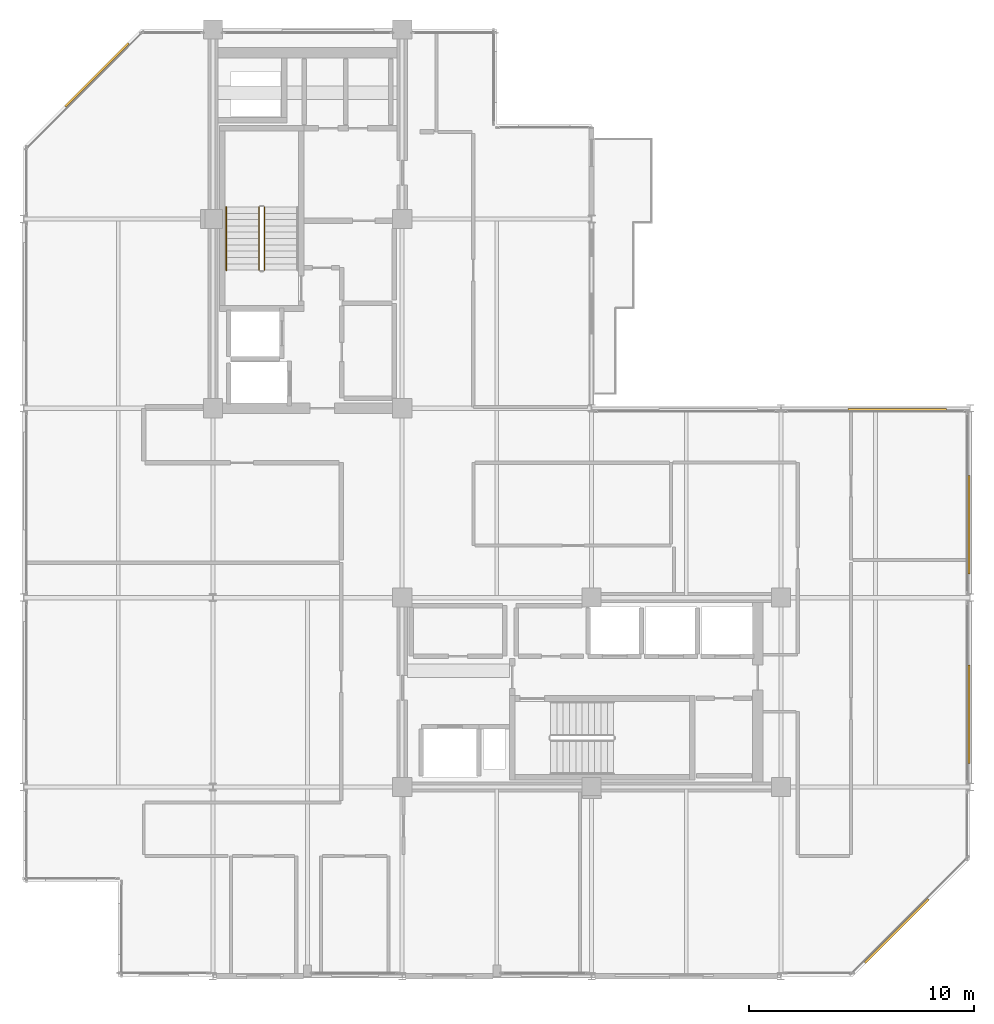
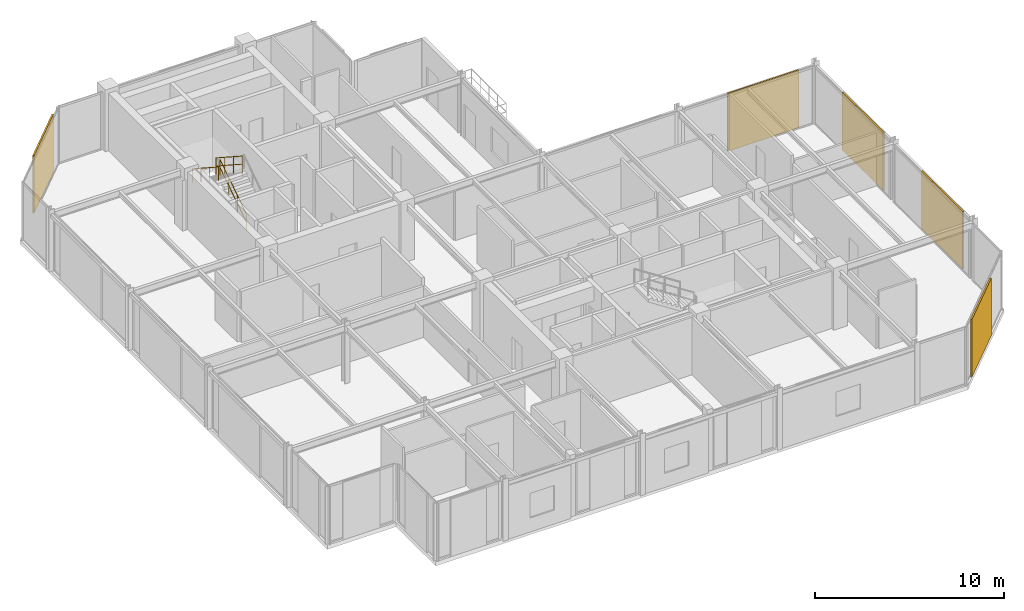
# One storey, part 25 of 26: 5 coverings, 3 railings.
"""IFC4 building model written with IfcOpenShell, lengths in metres."""

from ifc_helpers import new_model, si_unit, direction, frame, origin, origin_2d, place, context, subcontext, project, spatial, rectangle, circle, extrude, material, layer, layer_set, type_object, element, save


model = new_model("IFC4")

# Units and contexts
model_context = context("Model", 3, precision=1e-05, world=origin(), true_north=direction((0.0, 1.0)))
body_context = subcontext(model_context, "Body", "Model", "MODEL_VIEW")
ifc_project = project(units=[si_unit("LENGTHUNIT", "METRE"), si_unit("AREAUNIT", "SQUARE_METRE"), si_unit("VOLUMEUNIT", "CUBIC_METRE"), si_unit("PLANEANGLEUNIT", "RADIAN"), si_unit("MASSUNIT", "GRAM", prefix="KILO")], contexts=[model_context])

# Site, building, storey
site_placement = place(None, origin())
site = spatial("IfcSite", under=ifc_project, at=site_placement, CompositionType="ELEMENT")
building_placement = place(site_placement, origin())
building = spatial("IfcBuilding", under=site, at=building_placement, Name="Nerrivon Quay Data Exchange", CompositionType="ELEMENT")
storey_placement = place(building_placement, frame((0.0, 0.0, 250.199951171875)))
storey = spatial("IfcBuildingStorey", under=building, at=storey_placement, Name="L59", CompositionType="ELEMENT", Elevation=250.199951171875)

# Coverings
ifc_material_1 = material(Name="Architectural terracotta ceramic", Category="masonry")
ifc_layer = layer(ifc_material_1, 0.090087890625)
ifc_layer_set = layer_set([ifc_layer], Name="Architectural terracotta ceramic")
covering_type = type_object("IfcCoveringType", Name="COV-SCR-TERR", PredefinedType="CLADDING", material=ifc_layer_set)
for number, where, z_axis, x_axis, name in (
    (1, (38.744140625, 2.0078125, 0.0), (0.0, 0.0, 1.0), (-0.707106781187, -0.707106781187, 0.0), "L59 Perforated Terracotta SOLAR SCREEN Cassette"),
    (2, (3.255859375, 39.9921875, 0.0), (0.0, 0.0, 1.0), (0.707106781187, 0.707106781187, 0.0), "L59 Perforated Terracotta SOLAR SCREEN Cassette"),
):
    element("IfcCovering", number, at=place(storey_placement, frame(where, z_axis=z_axis, x_axis=x_axis)), inside=storey, type_object=covering_type, Name=name, PredefinedType="CLADDING", context=body_context, shape_type="SweptSolid", body=[
        extrude(rectangle(XDim=3.970947265625, YDim=0.090087890625, at=origin_2d()), origin(), (0.0, 0.0, 1.0), 3.72509765625),
    ])
covering_placement = place(storey_placement, frame((38.770751953125, 25.155029296875, 0.0), z_axis=(0.0, 0.0, 1.0), x_axis=(1.0, 0.0, 0.0)))
element("IfcCovering", 3, at=covering_placement, inside=storey, type_object=covering_type, Name="L59 Perforated Terracotta SOLAR SCREEN Cassette", PredefinedType="CLADDING", context=body_context, shape_type="SweptSolid", body=[
    extrude(rectangle(XDim=4.367919921875, YDim=0.090087890625, at=origin_2d()), origin(), (0.0, 0.0, 1.0), 3.72509765625),
])
for number, where, z_axis, x_axis, name in (
    (4, (41.955078125, 20.03125, 0.0), (0.0, 0.0, 1.0), (0.0, -1.0, 0.0), "L59 Perforated Terracotta SOLAR SCREEN Cassette"),
    (5, (41.955078125, 11.631103515625, 0.0), (0.0, 0.0, 1.0), (0.0, -1.0, 0.0), "L59 Perforated Terracotta SOLAR SCREEN Cassette"),
):
    element("IfcCovering", number, at=place(storey_placement, frame(where, z_axis=z_axis, x_axis=x_axis)), inside=storey, type_object=covering_type, Name=name, PredefinedType="CLADDING", context=body_context, shape_type="SweptSolid", body=[
        extrude(rectangle(XDim=4.35888671875, YDim=0.090087890625, at=origin_2d()), origin(), (0.0, 0.0, 1.0), 3.72509765625),
    ])

# Railings
ifc_material_2 = material(Name="Steel Grade C350L0 (350 MPa)", Category="steel")
railing_type_1 = type_object("IfcRailingType", Name="RAIL-HAND-HR1", PredefinedType="HANDRAIL", material=ifc_material_2)
railing_1_placement = place(storey_placement, frame((9.0, 34.1298828125, 2.181884765625)))
element("IfcRailing", 6, at=railing_1_placement, inside=storey, type_object=railing_type_1, Name="L59 ST01 stair handrail 2", PredefinedType="HANDRAIL", context=body_context, shape_type="SweptSolid", body=[
    extrude(circle(Radius=0.02392578125, at=origin_2d()), frame((0.0, 0.0, 0.8759765625), z_axis=(0.0, -0.83868413941, 0.544618136222), x_axis=(1.0, 0.0, 0.0)), (0.0, 0.0, 1.0), 3.33837890625),
    extrude(circle(Radius=0.02099609375, at=origin_2d()), origin(), (0.0, 0.0, 1.0), 0.851806640625),
    extrude(circle(Radius=0.02099609375, at=origin_2d()), frame((0.0, -0.933349609375, 0.60595703125)), (0.0, 0.0, 1.0), 0.851806640625),
    extrude(circle(Radius=0.02099609375, at=origin_2d()), frame((0.0, -1.866455078125, 1.212158203125)), (0.0, 0.0, 1.0), 0.851806640625),
    extrude(circle(Radius=0.02099609375, at=origin_2d()), frame((0.0, -2.7998046875, 1.818115234375)), (0.0, 0.0, 1.0), 0.851806640625),
])
railing_type_2 = type_object("IfcRailingType", Name="RAIL-STAIR-GR1", PredefinedType="BALUSTRADE", material=ifc_material_2)
railing_2_placement = place(storey_placement, frame((10.699951171875, 31.330078125, 0.181884765625)))
element("IfcRailing", 7, at=railing_2_placement, inside=storey, type_object=railing_type_2, Name="L59 ST01 stair guard 1", PredefinedType="BALUSTRADE", context=body_context, shape_type="SweptSolid", body=[
    extrude(circle(Radius=0.02392578125, at=origin_2d()), frame((0.0, 0.0, 1.076171875), z_axis=(0.0, 0.83868413941, 0.544618136222), x_axis=(-1.0, 0.0, 0.0)), (0.0, 0.0, 1.0), 3.33837890625),
    extrude(circle(Radius=0.02392578125, at=origin_2d()), frame((0.0, 0.0, 0.550048828125), z_axis=(0.0, 0.83868413941, 0.544618136222), x_axis=(-1.0, 0.0, 0.0)), (0.0, 0.0, 1.0), 3.33837890625),
    extrude(circle(Radius=0.02099609375, at=origin_2d()), origin(), (0.0, 0.0, 1.0), 1.052001953125),
    extrude(circle(Radius=0.02099609375, at=origin_2d()), frame((0.0, 0.933349609375, 0.60595703125)), (0.0, 0.0, 1.0), 1.052001953125),
    extrude(circle(Radius=0.02099609375, at=origin_2d()), frame((0.0, 1.866455078125, 1.212158203125)), (0.0, 0.0, 1.0), 1.052001953125),
    extrude(circle(Radius=0.02099609375, at=origin_2d()), frame((0.0, 2.7998046875, 1.818115234375)), (0.0, 0.0, 1.0), 1.052001953125),
])
railing_3_placement = place(storey_placement, frame((10.449951171875, 34.1298828125, 2.181884765625)))
element("IfcRailing", 8, at=railing_3_placement, inside=storey, type_object=railing_type_2, Name="L59 ST01 stair guard 3", PredefinedType="BALUSTRADE", context=body_context, shape_type="SweptSolid", body=[
    extrude(circle(Radius=0.02392578125, at=origin_2d()), frame((0.0, 0.0, 1.076171875), z_axis=(0.0, -0.83868413941, 0.544618136222), x_axis=(1.0, 0.0, 0.0)), (0.0, 0.0, 1.0), 3.33837890625),
    extrude(circle(Radius=0.02392578125, at=origin_2d()), frame((0.0, 0.0, 0.550048828125), z_axis=(0.0, -0.83868413941, 0.544618136222), x_axis=(1.0, 0.0, 0.0)), (0.0, 0.0, 1.0), 3.33837890625),
    extrude(circle(Radius=0.02099609375, at=origin_2d()), origin(), (0.0, 0.0, 1.0), 1.052001953125),
    extrude(circle(Radius=0.02099609375, at=origin_2d()), frame((0.0, -0.933349609375, 0.60595703125)), (0.0, 0.0, 1.0), 1.052001953125),
    extrude(circle(Radius=0.02099609375, at=origin_2d()), frame((0.0, -1.866455078125, 1.212158203125)), (0.0, 0.0, 1.0), 1.052001953125),
    extrude(circle(Radius=0.02099609375, at=origin_2d()), frame((0.0, -2.7998046875, 1.818115234375)), (0.0, 0.0, 1.0), 1.052001953125),
])

save(model, "model.ifc")
